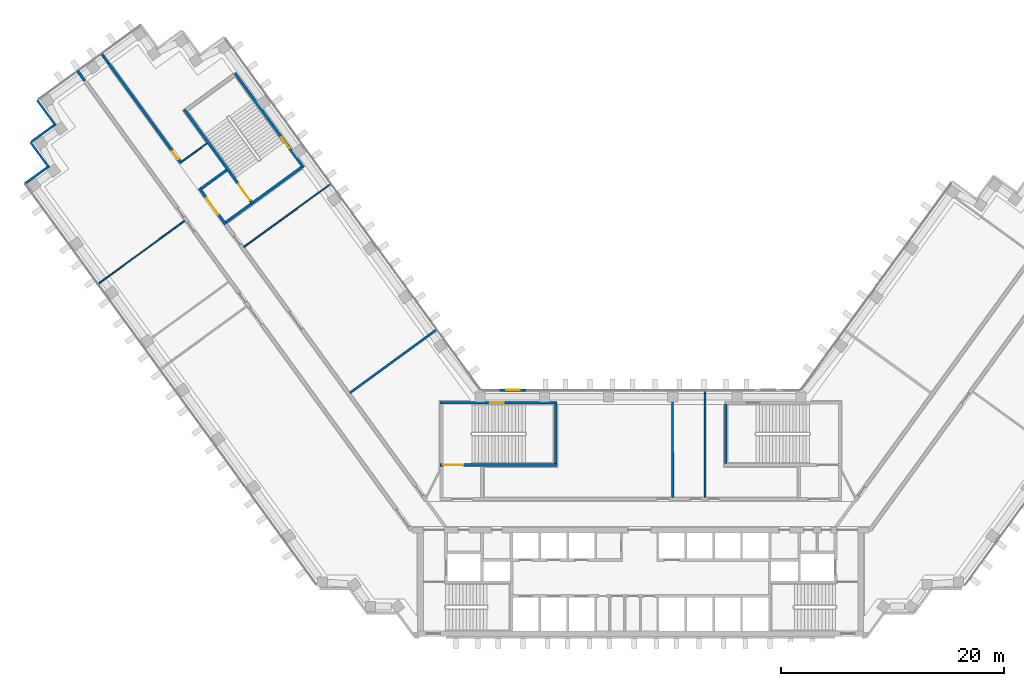
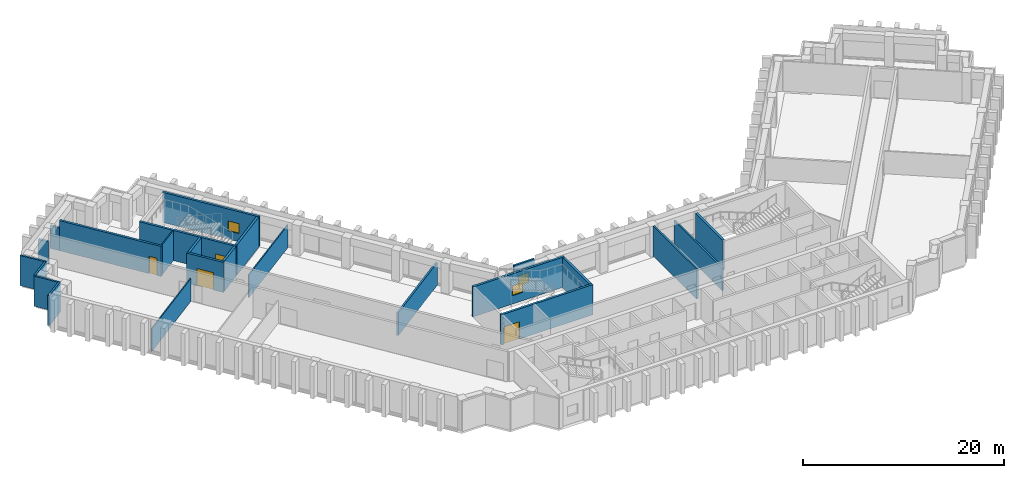
# One storey, part 7 of 12: 24 walls, 4 doors, 3 windows, 7 openings.
"""IFC4 building model written with IfcOpenShell, lengths in metres."""

import ifcopenshell
import ifcopenshell.guid

model = None  # the IFC model being written
_history = None  # IfcOwnerHistory: only IFC2X3 demands one
_inside = {}  # id of a spatial element -> (the spatial element, [elements in it])
_under = {}  # id of a project, library or spatial element -> (it, [spatial elements below it])
_declared = {}  # id of a project -> (the project, [libraries it declares])
_typed = {}  # id of a type object -> (the type object, [elements of that type])
_made_of = {}  # id of a material, layer set ... -> (it, [elements and type objects made of it])


def new_model(schema):
    """Start an empty IFC model of exactly this schema.

    Asked for "IFC4X3", IfcOpenShell would pick the latest addendum, in which some entities
    have other attributes; the version numbers below select the first issue.
    IFC2X3 requires an IfcOwnerHistory on every rooted entity: one is made here for all.
    """
    global model, _history
    if schema == "IFC4X3":
        model = ifcopenshell.file(schema_version=(4, 3, 0, 0))
    else:
        model = ifcopenshell.file(schema=schema)
    _inside.clear()
    _under.clear()
    _declared.clear()
    _typed.clear()
    _made_of.clear()
    _history = None
    if model.schema == "IFC2X3":
        org = make("IfcOrganization", Name="unknown")
        user = make(
            "IfcPersonAndOrganization",
            ThePerson=make("IfcPerson", FamilyName="unknown"),
            TheOrganization=org,
        )
        app = make(
            "IfcApplication",
            ApplicationDeveloper=org,
            Version="unknown",
            ApplicationFullName="unknown",
            ApplicationIdentifier="unknown",
        )
        _history = make(
            "IfcOwnerHistory",
            OwningUser=user,
            OwningApplication=app,
            ChangeAction="ADDED",
            CreationDate=0,
        )
    return model


def make(cls, **values):
    """One entity of the class cls with the attributes given. An attribute that is None is left unset."""
    return model.create_entity(
        cls, **{name: value for name, value in values.items() if value is not None}
    )


def rooted(cls, **values):
    """An entity with a GlobalId (a new one), such as an element, a storey or a relation."""
    return make(cls, GlobalId=ifcopenshell.guid.new(), OwnerHistory=_history, **values)


def si_unit(unit_type, name, prefix=None):
    """IfcSIUnit, for example si_unit("LENGTHUNIT", "METRE", prefix="MILLI")."""
    return make("IfcSIUnit", UnitType=unit_type, Prefix=prefix, Name=name)


def assignment(units):
    """IfcUnitAssignment: the units of a project."""
    return None if units is None else make("IfcUnitAssignment", Units=units)


def point(xyz):
    """IfcCartesianPoint."""
    return None if xyz is None else make("IfcCartesianPoint", Coordinates=xyz)


def direction(xyz):
    """IfcDirection."""
    return None if xyz is None else make("IfcDirection", DirectionRatios=xyz)


def frame(location, z_axis=None, x_axis=None):
    """IfcAxis2Placement3D, a coordinate frame: its origin and axes. An axis left out is left unset."""
    return make(
        "IfcAxis2Placement3D",
        Location=point(location),
        Axis=direction(z_axis),
        RefDirection=direction(x_axis),
    )


def frame_2d(location, x_axis=None):
    """IfcAxis2Placement2D, a coordinate frame in the plane: its origin and x axis."""
    return make(
        "IfcAxis2Placement2D", Location=point(location), RefDirection=direction(x_axis)
    )


def origin():
    """The frame at (0, 0, 0) with its axes left unset."""
    return frame((0.0, 0.0, 0.0))


def place(relative_to, where):
    """IfcLocalPlacement: puts the frame where relative to a parent placement (None: the world)."""
    return make(
        "IfcLocalPlacement", PlacementRelTo=relative_to, RelativePlacement=where
    )


def context(
    kind, dimensions, precision=None, world=None, true_north=None, identifier=None
):
    """IfcGeometricRepresentationContext, for example the 3D "Model" context."""
    return make(
        "IfcGeometricRepresentationContext",
        ContextIdentifier=identifier,
        ContextType=kind,
        CoordinateSpaceDimension=dimensions,
        Precision=precision,
        WorldCoordinateSystem=world,
        TrueNorth=true_north,
    )


def subcontext(parent, identifier, kind, view, scale=None):
    """IfcGeometricRepresentationSubContext, for example "Body" below "Model"."""
    return make(
        "IfcGeometricRepresentationSubContext",
        ContextIdentifier=identifier,
        ContextType=kind,
        ParentContext=parent,
        TargetScale=scale,
        TargetView=view,
    )


def project(units=None, contexts=None):
    """IfcProject with its units and contexts."""
    return rooted(
        "IfcProject",
        Name="project",
        RepresentationContexts=contexts,
        UnitsInContext=assignment(units),
    )


def spatial(cls, under=None, at=None, **own):
    """A site, building, storey or space (cls), placed at a placement, below another one or the project."""
    s = rooted(cls, ObjectPlacement=at, **own)
    if under is not None:
        _under.setdefault(under.id(), (under, []))[1].append(s)
    return s


def profile(cls, at=None, kind="AREA", **sizes):
    """A parametric profile (cls). Its sizes go by their IFC names, for example OverallWidth=200.0."""
    return make(cls, ProfileType=kind, Position=at, **sizes)


def rectangle(**sizes):
    """IfcRectangleProfileDef."""
    return profile("IfcRectangleProfileDef", **sizes)


def extrude(swept, where, along, depth):
    """IfcExtrudedAreaSolid: the profile swept, set in the frame where, extruded along a direction by depth."""
    return make(
        "IfcExtrudedAreaSolid",
        SweptArea=swept,
        Position=where,
        ExtrudedDirection=direction(along),
        Depth=depth,
    )


def shape(context_of_items, identifier, shape_type, items):
    """IfcShapeRepresentation: the items that make up one representation, for example the "Body"."""
    return make(
        "IfcShapeRepresentation",
        ContextOfItems=context_of_items,
        RepresentationIdentifier=identifier,
        RepresentationType=shape_type,
        Items=items,
    )


def material(Name=None, Category=None):
    """IfcMaterial."""
    return make("IfcMaterial", Name=Name, Category=Category)


def layer(
    of_material, thickness, ventilated=None, Name=None, Category=None, Priority=None
):
    """IfcMaterialLayer: one layer of a wall or slab, of a material (None: an air gap)."""
    return make(
        "IfcMaterialLayer",
        Material=of_material,
        LayerThickness=thickness,
        IsVentilated=ventilated,
        Name=Name,
        Category=Category,
        Priority=Priority,
    )


def layer_set(layers, Name=None):
    """IfcMaterialLayerSet."""
    return make("IfcMaterialLayerSet", MaterialLayers=layers, LayerSetName=Name)


def made_of(thing, what):
    """Note that an element or type object is made of a material, layer set ...; save() writes the relation."""
    if what is not None:
        _made_of.setdefault(what.id(), (what, []))[1].append(thing)
    return thing


def type_object(cls, material=None, **own):
    """A type object (cls), such as IfcWallType, which elements share."""
    return made_of(rooted(cls, **own), material)


def element(
    cls,
    number,
    at=None,
    inside=None,
    cuts=None,
    type_object=None,
    material=None,
    context=None,
    identifier="Body",
    shape_type=None,
    held_by="IfcProductDefinitionShape",
    body=None,
    shapes=None,
    **own,
):
    """One element of the class cls, such as IfcWall. Its Tag is "e" and its number.

    at: its placement. inside: the storey or other place that contains it. cuts: it is an
    opening in that element (IfcRelVoidsElement). A single representation is given by context,
    identifier, shape_type and body (its items); several are given by shapes. held_by: the class
    of the entity that holds the representations. save() writes the other relations.
    """
    e = rooted(cls, Tag="e%d" % number, ObjectPlacement=at, **own)
    if body is not None:
        shapes = [shape(context, identifier, shape_type, body)]
    if shapes is not None:
        e.Representation = make(held_by, Representations=shapes)
    if inside is not None:
        _inside.setdefault(inside.id(), (inside, []))[1].append(e)
    if cuts is not None:
        rooted(
            "IfcRelVoidsElement", RelatingBuildingElement=cuts, RelatedOpeningElement=e
        )
    if type_object is not None:
        _typed.setdefault(type_object.id(), (type_object, []))[1].append(e)
    return made_of(e, material)


def fill(opening, filler):
    """IfcRelFillsElement: the door or window that sits in an opening."""
    return rooted(
        "IfcRelFillsElement",
        RelatingOpeningElement=opening,
        RelatedBuildingElement=filler,
    )


def aggregate(whole, parts):
    """IfcRelAggregates: a whole, such as a stair, and the parts it consists of."""
    return rooted("IfcRelAggregates", RelatingObject=whole, RelatedObjects=parts)


def save(model, path):
    """Write the relations noted so far, then the file.

    IfcRelAggregates (storeys below a building ...), IfcRelContainedInSpatialStructure (elements
    in a storey), IfcRelDefinesByType, IfcRelAssociatesMaterial and IfcRelDeclares: one each for
    every whole, place, type object, material and project.
    """
    for whole, parts in _under.values():
        aggregate(whole, parts)
    for where, things in _inside.values():
        rooted(
            "IfcRelContainedInSpatialStructure",
            RelatedElements=things,
            RelatingStructure=where,
        )
    for kind, things in _typed.values():
        rooted("IfcRelDefinesByType", RelatedObjects=things, RelatingType=kind)
    for what, things in _made_of.values():
        rooted("IfcRelAssociatesMaterial", RelatedObjects=things, RelatingMaterial=what)
    for by, libraries in _declared.values():
        rooted("IfcRelDeclares", RelatingContext=by, RelatedDefinitions=libraries)
    model.write(path)


model = new_model("IFC4")

# Units and contexts
model_context = context("Model", 3, precision=1e-05, world=origin(), true_north=direction((0.0, 1.0)))
body_context = subcontext(model_context, "Body", "Model", "MODEL_VIEW")
ifc_project = project(units=[si_unit("LENGTHUNIT", "METRE"), si_unit("AREAUNIT", "SQUARE_METRE"), si_unit("VOLUMEUNIT", "CUBIC_METRE"), si_unit("PLANEANGLEUNIT", "RADIAN"), si_unit("MASSUNIT", "GRAM", prefix="KILO")], contexts=[model_context])

# Site, building, storey
site_placement = place(None, origin())
site = spatial("IfcSite", under=ifc_project, at=site_placement, CompositionType="ELEMENT")
building_placement = place(site_placement, origin())
building = spatial("IfcBuilding", under=site, at=building_placement, Name="Quipu Civic Tower", CompositionType="ELEMENT")
storey_placement = place(building_placement, frame((0.0, 0.0, 121.0)))
storey = spatial("IfcBuildingStorey", under=building, at=storey_placement, Name="L28", CompositionType="ELEMENT", Elevation=121.0)

# Walls
ifc_material_1 = material(Name="Fired clay blockwork", Category="masonry")
ifc_layer_1 = layer(ifc_material_1, 0.199951171875)
ifc_layer_set_1 = layer_set([ifc_layer_1], Name="Fired clay blockwork")
wall_type_1 = type_object("IfcWallType", Name="Blockwork wall 200", PredefinedType="SOLIDWALL", material=ifc_layer_set_1)
wall_1_placement = place(storey_placement, frame((5.778076171875, 11.0, 0.0), z_axis=(0.0, 0.0, 1.0), x_axis=(0.0, -1.0, 0.0)))
element("IfcWall", 1, at=wall_1_placement, inside=storey, type_object=wall_type_1, Name="Partition P02", PredefinedType="SOLIDWALL", context=body_context, shape_type="SweptSolid", body=[
    extrude(rectangle(XDim=9.550048828125, YDim=0.199951171875, at=frame_2d((4.77490234375, 0.0))), origin(), (0.0, 0.0, 1.0), 2.75),
])
wall_2_placement = place(storey_placement, frame((2.87890625, 1.449951171875, 0.0), z_axis=(0.0, 0.0, 1.0), x_axis=(-0.002357613104, 0.999997220826, 0.0)))
element("IfcWall", 2, at=wall_2_placement, inside=storey, type_object=wall_type_1, Name="Partition P04", PredefinedType="SOLIDWALL", context=body_context, shape_type="SweptSolid", body=[
    extrude(rectangle(XDim=8.594970703125, YDim=0.199951171875, at=frame_2d((4.29736328125, 0.0))), origin(), (0.0, 0.0, 1.0), 3.64990234375),
])
wall_3_placement = place(storey_placement, frame((-26.089111328125, 10.847900390625, 0.0), z_axis=(0.0, 0.0, 1.0), x_axis=(0.807661302092, 0.589646691759, 0.0)))
element("IfcWall", 3, at=wall_3_placement, inside=storey, type_object=wall_type_1, Name="Partition P08", PredefinedType="SOLIDWALL", context=body_context, shape_type="SweptSolid", body=[
    extrude(rectangle(XDim=9.550048828125, YDim=0.199951171875, at=frame_2d((4.77490234375, 0.0))), origin(), (0.0, 0.0, 1.0), 2.75),
])

# Wall, opening, door
ifc_material_2 = material(Name="Concrete C70/85", Category="concrete")
ifc_layer_2 = layer(ifc_material_2, 0.25)
ifc_layer_set_2 = layer_set([ifc_layer_2], Name="Concrete C70/85")
wall_type_2 = type_object("IfcWallType", Name="Core wall 250", PredefinedType="SHEAR", material=ifc_layer_set_2)
wall_4_placement = place(storey_placement, frame((-18.0, 4.375, 0.0), z_axis=(0.0, 0.0, 1.0), x_axis=(1.0, 0.0, 0.0)))
wall_4 = element("IfcWall", 4, at=wall_4_placement, inside=storey, type_object=wall_type_2, Name="Core wall", PredefinedType="SHEAR", context=body_context, shape_type="SweptSolid", body=[
    extrude(rectangle(XDim=10.5, YDim=0.25, at=frame_2d((5.25, 0.0))), origin(), (0.0, 0.0, 1.0), 3.64990234375),
])
opening_1_placement = place(wall_4_placement, frame((0.300048828125, 0.0, 0.0)))
opening_1 = element("IfcOpeningElement", 5, at=opening_1_placement, cuts=wall_4, Name="Opening CD-17", PredefinedType="OPENING", context=body_context, shape_type="SweptSolid", body=[
    extrude(rectangle(XDim=1.800048828125, YDim=2.10009765625, at=frame_2d((0.89990234375, 1.050048828125))), frame((0.0, 0.135009765625, 0.0), z_axis=(0.0, -1.0, 0.0), x_axis=(1.0, 0.0, 0.0)), (0.0, 0.0, 1.0), 0.27001953125),
])
ifc_material_3 = material(Name="Fire rated steel door", Category="steel")
door_type_1 = type_object("IfcDoorType", Name="Fire door FD90 double 1800 x 2100", OperationType="NOTDEFINED", PredefinedType="DOOR", material=ifc_material_3)
door_1_placement = place(opening_1_placement, origin())
door_1 = element("IfcDoor", 6, at=door_1_placement, inside=storey, type_object=door_type_1, Name="Door", OperationType="DOUBLE_DOOR_SINGLE_SWING", OverallHeight=2.10009765625, OverallWidth=1.800048828125, PredefinedType="DOOR", context=body_context, shape_type="SweptSolid", body=[
    extrude(rectangle(XDim=1.800048828125, YDim=2.10009765625, at=frame_2d((0.89990234375, 1.050048828125))), frame((0.0, 0.02490234375, 0.0), z_axis=(0.0, -1.0, 0.0), x_axis=(1.0, 0.0, 0.0)), (0.0, 0.0, 1.0), 0.050048828125),
])
fill(opening_1, door_1)

# Wall
wall_5_placement = place(storey_placement, frame((-7.625, 4.5, 0.0), z_axis=(0.0, 0.0, 1.0), x_axis=(0.0, 1.0, 0.0)))
element("IfcWall", 7, at=wall_5_placement, inside=storey, type_object=wall_type_2, Name="Core wall", PredefinedType="SHEAR", context=body_context, shape_type="SweptSolid", body=[
    extrude(rectangle(XDim=5.35009765625, YDim=0.25, at=frame_2d((2.675048828125, 0.0))), origin(), (0.0, 0.0, 1.0), 3.64990234375),
])

# Wall, opening, window
wall_6_placement = place(storey_placement, frame((-18.0, 9.97509765625, 0.0), z_axis=(0.0, 0.0, 1.0), x_axis=(1.0, 0.0, 0.0)))
wall_6 = element("IfcWall", 8, at=wall_6_placement, inside=storey, type_object=wall_type_2, Name="Core wall", PredefinedType="SHEAR", context=body_context, shape_type="SweptSolid", body=[
    extrude(rectangle(XDim=10.5, YDim=0.25, at=frame_2d((5.25, 0.0))), origin(), (0.0, 0.0, 1.0), 3.64990234375),
])
opening_2_placement = place(wall_6_placement, frame((4.5, 0.0, 1.0)))
opening_2 = element("IfcOpeningElement", 9, at=opening_2_placement, cuts=wall_6, Name="Opening SV-3", PredefinedType="OPENING", context=body_context, shape_type="SweptSolid", body=[
    extrude(rectangle(XDim=1.199951171875, YDim=1.199951171875, at=frame_2d((0.60009765625, 0.60009765625))), frame((0.0, 0.135009765625, 0.0), z_axis=(0.0, -1.0, 0.0), x_axis=(1.0, 0.0, 0.0)), (0.0, 0.0, 1.0), 0.27001953125),
])
ifc_material_4 = material(Name="Aluminium louvre", Category="aluminium")
window_type_1 = type_object("IfcWindowType", Name="Stair ventilation louvre 1200 x 1200", PartitioningType="SINGLE_PANEL", PredefinedType="WINDOW", material=ifc_material_4)
window_1_placement = place(opening_2_placement, origin())
window_1 = element("IfcWindow", 10, at=window_1_placement, inside=storey, type_object=window_type_1, Name="Stair ventilation opening", OverallHeight=1.199951171875, OverallWidth=1.199951171875, PartitioningType="SINGLE_PANEL", PredefinedType="WINDOW", context=body_context, shape_type="SweptSolid", body=[
    extrude(rectangle(XDim=1.199951171875, YDim=1.199951171875, at=frame_2d((0.60009765625, 0.60009765625))), frame((0.0, 0.030029296875, 0.0), z_axis=(0.0, -1.0, 0.0), x_axis=(1.0, 0.0, 0.0)), (0.0, 0.0, 1.0), 0.06005859375),
])
fill(opening_2, window_1)

# Wall
wall_7_placement = place(storey_placement, frame((7.625, 4.5, 0.0), z_axis=(0.0, 0.0, 1.0), x_axis=(0.0, 1.0, 0.0)))
element("IfcWall", 11, at=wall_7_placement, inside=storey, type_object=wall_type_2, Name="Core wall", PredefinedType="SHEAR", context=body_context, shape_type="SweptSolid", body=[
    extrude(rectangle(XDim=5.35009765625, YDim=0.25, at=frame_2d((2.675048828125, 0.0))), origin(), (0.0, 0.0, 1.0), 3.64990234375),
])

# Wall, opening, window
wall_8_placement = place(storey_placement, frame((-30.239501953125, 31.06396484375, 0.0), z_axis=(0.0, 0.0, 1.0), x_axis=(-0.587795589702, 0.809009483706, 0.0)))
wall_8 = element("IfcWall", 12, at=wall_8_placement, inside=storey, type_object=wall_type_2, Name="Core wall", PredefinedType="SHEAR", context=body_context, shape_type="SweptSolid", body=[
    extrude(rectangle(XDim=10.5, YDim=0.25, at=frame_2d((5.25, 0.0))), origin(), (0.0, 0.0, 1.0), 3.64990234375),
])
opening_3_placement = place(wall_8_placement, frame((2.14990234375, 0.0, 1.0)))
opening_3 = element("IfcOpeningElement", 13, at=opening_3_placement, cuts=wall_8, Name="Opening SV-6", PredefinedType="OPENING", context=body_context, shape_type="SweptSolid", body=[
    extrude(rectangle(XDim=1.199951171875, YDim=1.199951171875, at=frame_2d((0.60009765625, 0.60009765625))), frame((0.0, 0.135009765625, 0.0), z_axis=(0.0, -1.0, 0.0), x_axis=(1.0, 0.0, 0.0)), (0.0, 0.0, 1.0), 0.27001953125),
])
window_2_placement = place(opening_3_placement, origin())
window_2 = element("IfcWindow", 14, at=window_2_placement, inside=storey, type_object=window_type_1, Name="Stair ventilation opening", OverallHeight=1.199951171875, OverallWidth=1.199951171875, PartitioningType="SINGLE_PANEL", PredefinedType="WINDOW", context=body_context, shape_type="SweptSolid", body=[
    extrude(rectangle(XDim=1.199951171875, YDim=1.199951171875, at=frame_2d((0.60009765625, 0.60009765625))), frame((0.0, 0.030029296875, 0.0), z_axis=(0.0, -1.0, 0.0), x_axis=(1.0, 0.0, 0.0)), (0.0, 0.0, 1.0), 0.06005859375),
])
fill(opening_3, window_2)

# Wall
wall_9_placement = place(storey_placement, frame((-30.414306640625, 31.091796875, 0.0), z_axis=(0.0, 0.0, 1.0), x_axis=(-0.8089984606, -0.587810760999, 0.0)))
element("IfcWall", 15, at=wall_9_placement, inside=storey, type_object=wall_type_2, Name="Core wall", PredefinedType="SHEAR", context=body_context, shape_type="SweptSolid", body=[
    extrude(rectangle(XDim=5.35009765625, YDim=0.25, at=frame_2d((2.675048828125, 0.0))), origin(), (0.0, 0.0, 1.0), 3.64990234375),
])

# Wall, opening, door
wall_10_placement = place(storey_placement, frame((-40.94189453125, 36.26708984375, 0.0), z_axis=(0.0, 0.0, 1.0), x_axis=(0.587795589702, -0.809009483706, 0.0)))
wall_10 = element("IfcWall", 16, at=wall_10_placement, inside=storey, type_object=wall_type_2, Name="Core wall", PredefinedType="SHEAR", context=body_context, shape_type="SweptSolid", body=[
    extrude(rectangle(XDim=10.5, YDim=0.25, at=frame_2d((5.25, 0.0))), origin(), (0.0, 0.0, 1.0), 3.64990234375),
])
opening_4_placement = place(wall_10_placement, frame((8.25, 0.0, 0.0)))
opening_4 = element("IfcOpeningElement", 17, at=opening_4_placement, cuts=wall_10, Name="Opening CD-20", PredefinedType="OPENING", context=body_context, shape_type="SweptSolid", body=[
    extrude(rectangle(XDim=1.800048828125, YDim=2.10009765625, at=frame_2d((0.89990234375, 1.050048828125))), frame((0.0, 0.135009765625, 0.0), z_axis=(0.0, -1.0, 0.0), x_axis=(1.0, 0.0, 0.0)), (0.0, 0.0, 1.0), 0.27001953125),
])
door_2_placement = place(opening_4_placement, origin())
door_2 = element("IfcDoor", 18, at=door_2_placement, inside=storey, type_object=door_type_1, Name="Door", OperationType="DOUBLE_DOOR_SINGLE_SWING", OverallHeight=2.10009765625, OverallWidth=1.800048828125, PredefinedType="DOOR", context=body_context, shape_type="SweptSolid", body=[
    extrude(rectangle(XDim=1.800048828125, YDim=2.10009765625, at=frame_2d((0.89990234375, 1.050048828125))), frame((0.0, 0.02490234375, 0.0), z_axis=(0.0, -1.0, 0.0), x_axis=(1.0, 0.0, 0.0)), (0.0, 0.0, 1.0), 0.050048828125),
])
fill(opening_4, door_2)

# Walls
for number, where, z_axis, x_axis, name in (
    (19, (-34.944580078125, 27.800048828125, 0.0), (0.0, 0.0, 1.0), (-0.809041377956, -0.587751689708, 0.0), "Core wall"),
    (20, (-37.14892578125, 30.833984375, 0.0), (0.0, 0.0, 1.0), (-0.808969789945, -0.58785021813, 0.0), "Core wall"),
):
    element("IfcWall", number, at=place(storey_placement, frame(where, z_axis=z_axis, x_axis=x_axis)), inside=storey, type_object=wall_type_2, Name=name, PredefinedType="SHEAR", context=body_context, shape_type="SweptSolid", body=[
        extrude(rectangle(XDim=2.800048828125, YDim=0.25, at=frame_2d((1.39990234375, 0.0))), origin(), (0.0, 0.0, 1.0), 3.64990234375),
    ])

# Wall, opening, door
wall_11_placement = place(storey_placement, frame((-39.588623046875, 29.2158203125, 0.0), z_axis=(0.0, 0.0, 1.0), x_axis=(0.587772420479, -0.809026317077, 0.0)))
wall_11 = element("IfcWall", 21, at=wall_11_placement, inside=storey, type_object=wall_type_2, Name="Core wall", PredefinedType="SHEAR", context=body_context, shape_type="SweptSolid", body=[
    extrude(rectangle(XDim=4.0, YDim=0.25, at=frame_2d((2.0, 0.0))), origin(), (0.0, 0.0, 1.0), 3.64990234375),
])
opening_5_placement = place(wall_11_placement, frame((1.10009765625, 0.0, 0.0)))
opening_5 = element("IfcOpeningElement", 22, at=opening_5_placement, cuts=wall_11, Name="Opening CD-21", PredefinedType="OPENING", context=body_context, shape_type="SweptSolid", body=[
    extrude(rectangle(XDim=1.800048828125, YDim=2.10009765625, at=frame_2d((0.89990234375, 1.050048828125))), frame((0.0, 0.135009765625, 0.0), z_axis=(0.0, -1.0, 0.0), x_axis=(1.0, 0.0, 0.0)), (0.0, 0.0, 1.0), 0.27001953125),
])
door_3_placement = place(opening_5_placement, origin())
door_3 = element("IfcDoor", 23, at=door_3_placement, inside=storey, type_object=door_type_1, Name="Lobby door", OperationType="DOUBLE_DOOR_SINGLE_SWING", OverallHeight=2.10009765625, OverallWidth=1.800048828125, PredefinedType="DOOR", context=body_context, shape_type="SweptSolid", body=[
    extrude(rectangle(XDim=1.800048828125, YDim=2.10009765625, at=frame_2d((0.89990234375, 1.050048828125))), frame((0.0, 0.02490234375, 0.0), z_axis=(0.0, -1.0, 0.0), x_axis=(1.0, 0.0, 0.0)), (0.0, 0.0, 1.0), 0.050048828125),
])
fill(opening_5, door_3)

ifc_material_5 = material(Name="Concrete C50/60", Category="concrete")
ifc_layer_3 = layer(ifc_material_5, 0.25)
ifc_layer_set_3 = layer_set([ifc_layer_3], Name="Concrete C50/60")
wall_type_3 = type_object("IfcWallType", Name="Corridor wall 250 concrete", PredefinedType="SOLIDWALL", material=ifc_layer_set_3)
wall_12_placement = place(storey_placement, frame((-47.724853515625, 40.414306640625, 0.0), z_axis=(0.0, 0.0, 1.0), x_axis=(0.587773291021, -0.809025684612, 0.0)))
wall_12 = element("IfcWall", 24, at=wall_12_placement, inside=storey, type_object=wall_type_3, Name="Corridor wall C02", PredefinedType="SOLIDWALL", context=body_context, shape_type="SweptSolid", body=[
    extrude(rectangle(XDim=11.07861328125, YDim=0.25, at=frame_2d((5.539306640625, 0.0))), origin(), (0.0, 0.0, 1.0), 3.64990234375),
])
opening_6_placement = place(wall_12_placement, frame((9.737060546875, 0.0, 0.0)))
opening_6 = element("IfcOpeningElement", 25, at=opening_6_placement, cuts=wall_12, Name="Opening D009", PredefinedType="OPENING", context=body_context, shape_type="SweptSolid", body=[
    extrude(rectangle(XDim=0.89990234375, YDim=2.10009765625, at=frame_2d((0.449951171875, 1.050048828125))), frame((0.0, 0.135009765625, 0.0), z_axis=(0.0, -1.0, 0.0), x_axis=(1.0, 0.0, 0.0)), (0.0, 0.0, 1.0), 0.27001953125),
])
ifc_material_6 = material(Name="Fire rated timber door set with metal frame", Category="wood")
door_type_2 = type_object("IfcDoorType", Name="Single door 900 x 2100 FD60", OperationType="NOTDEFINED", PredefinedType="DOOR", material=ifc_material_6)
door_4_placement = place(opening_6_placement, origin())
door_4 = element("IfcDoor", 26, at=door_4_placement, inside=storey, type_object=door_type_2, Name="Door D009", OperationType="SINGLE_SWING_RIGHT", OverallHeight=2.10009765625, OverallWidth=0.89990234375, PredefinedType="DOOR", context=body_context, shape_type="SweptSolid", body=[
    extrude(rectangle(XDim=0.89990234375, YDim=2.10009765625, at=frame_2d((0.449951171875, 1.050048828125))), frame((0.0, 0.02490234375, 0.0), z_axis=(0.0, -1.0, 0.0), x_axis=(1.0, 0.0, 0.0)), (0.0, 0.0, 1.0), 0.050048828125),
])
fill(opening_6, door_4)

# Walls
wall_13_placement = place(storey_placement, frame((-49.86865234375, 38.8564453125, 0.0), z_axis=(0.0, 0.0, 1.0), x_axis=(-0.587674273289, 0.809097613712, 0.0)))
element("IfcWall", 27, at=wall_13_placement, inside=storey, type_object=wall_type_3, Name="Corridor wall C01", PredefinedType="SOLIDWALL", context=body_context, shape_type="SweptSolid", body=[
    extrude(rectangle(XDim=1.109130859375, YDim=0.25, at=frame_2d((0.5546875, 0.0))), origin(), (0.0, 0.0, 1.0), 2.75),
])
wall_14_placement = place(storey_placement, frame((-47.724853515625, 40.414306640625, 0.0), z_axis=(0.0, 0.0, 1.0), x_axis=(-0.587840411638, 0.808976915892, 0.0)))
element("IfcWall", 28, at=wall_14_placement, inside=storey, type_object=wall_type_3, Name="Corridor wall C02", PredefinedType="SOLIDWALL", context=body_context, shape_type="SweptSolid", body=[
    extrude(rectangle(XDim=1.008056640625, YDim=0.25, at=frame_2d((0.50390625, 0.0))), origin(), (0.0, 0.0, 1.0), 2.75),
])
ifc_material_7 = material(Name="Gypsum plasterboard on light gauge framing")
ifc_layer_4 = layer(ifc_material_7, 0.1201171875)
ifc_layer_set_4 = layer_set([ifc_layer_4], Name="Gypsum plasterboard on light gauge framing")
wall_type_4 = type_object("IfcWallType", Name="Partition 120 plasterboard", PredefinedType="PARTITIONING", material=ifc_layer_set_4)
wall_15_placement = place(storey_placement, frame((-48.615478515625, 20.67138671875, 0.0), z_axis=(0.0, 0.0, 1.0), x_axis=(0.807691251741, 0.589605666408, 0.0)))
element("IfcWall", 29, at=wall_15_placement, inside=storey, type_object=wall_type_4, Name="Partition P01", PredefinedType="PARTITIONING", context=body_context, shape_type="SweptSolid", body=[
    extrude(rectangle(XDim=9.55029296875, YDim=0.1201171875, at=frame_2d((4.775146484375, 0.0))), origin(), (0.0, 0.0, 1.0), 2.75),
])
wall_16_placement = place(storey_placement, frame((-27.873046875, 29.550537109375, 0.0), z_axis=(0.0, 0.0, 1.0), x_axis=(-0.809043311713, -0.587749027879, 0.0)))
element("IfcWall", 30, at=wall_16_placement, inside=storey, type_object=wall_type_4, Name="Partition P09", PredefinedType="PARTITIONING", context=body_context, shape_type="SweptSolid", body=[
    extrude(rectangle(XDim=9.549560546875, YDim=0.1201171875, at=frame_2d((4.77490234375, 0.0))), origin(), (0.0, 0.0, 1.0), 2.75),
])
wall_17_placement = place(storey_placement, frame((-41.166015625, 31.59912109375, 0.0), z_axis=(0.0, 0.0, 1.0), x_axis=(0.809090262332, 0.587684394381, 0.0)))
element("IfcWall", 31, at=wall_17_placement, inside=storey, type_object=wall_type_4, Name="Partition P12", PredefinedType="PARTITIONING", context=body_context, shape_type="SweptSolid", body=[
    extrude(rectangle(XDim=2.80078125, YDim=0.1201171875, at=frame_2d((1.400390625, 0.0))), origin(), (0.0, 0.0, 1.0), 3.64990234375),
])
ifc_material_8 = material(Name="Precast concrete C40/50", Category="concrete")
wall_type_5 = type_object("IfcWallType", Name="Precast cladding wall", PredefinedType="SOLIDWALL", material=ifc_material_8)
for number, where, z_axis, x_axis, name in (
    (32, (-54.140380859375, 37.12255859375, 0.0), (0.0, 0.0, 1.0), (0.587822180636, -0.808990163075, 0.0), "Precast cladding wall L28 7"),
    (33, (-52.46533203125, 34.9873046875, 0.0), (0.0, 0.0, 1.0), (-0.809033161865, -0.587762999008, 0.0), "Precast cladding wall L28 8"),
):
    element("IfcWall", number, at=place(storey_placement, frame(where, z_axis=z_axis, x_axis=x_axis)), inside=storey, type_object=wall_type_5, Name=name, PredefinedType="SOLIDWALL", context=body_context, shape_type="SweptSolid", body=[
        extrude(rectangle(XDim=2.699951171875, YDim=0.199951171875, at=frame_2d((1.35009765625, 0.0))), origin(), (0.0, 0.0, 1.0), 3.64990234375),
    ])
wall_18_placement = place(storey_placement, frame((-54.73779296875, 33.351318359375, 0.0), z_axis=(0.0, 0.0, 1.0), x_axis=(0.587779184282, -0.809021403008, 0.0)))
element("IfcWall", 34, at=wall_18_placement, inside=storey, type_object=wall_type_5, Name="Precast cladding wall L28 9", PredefinedType="SOLIDWALL", context=body_context, shape_type="SweptSolid", body=[
    extrude(rectangle(XDim=2.7001953125, YDim=0.199951171875, at=frame_2d((1.35009765625, 0.0))), origin(), (0.0, 0.0, 1.0), 3.64990234375),
])
wall_19_placement = place(storey_placement, frame((-53.062744140625, 31.2158203125, 0.0), z_axis=(0.0, 0.0, 1.0), x_axis=(-0.809033161865, -0.587762999008, 0.0)))
element("IfcWall", 35, at=wall_19_placement, inside=storey, type_object=wall_type_5, Name="Precast cladding wall L28 10", PredefinedType="SOLIDWALL", context=body_context, shape_type="SweptSolid", body=[
    extrude(rectangle(XDim=2.699951171875, YDim=0.199951171875, at=frame_2d((1.35009765625, 0.0))), origin(), (0.0, 0.0, 1.0), 3.64990234375),
])

# Wall, opening, window
wall_20_placement = place(storey_placement, frame((-10.263427734375, 11.10009765625, 0.0), z_axis=(0.0, 0.0, 1.0), x_axis=(-1.0, 0.0, 0.0)))
wall_20 = element("IfcWall", 36, at=wall_20_placement, inside=storey, type_object=wall_type_5, Name="Vent surround SF-L28-1", PredefinedType="SOLIDWALL", context=body_context, shape_type="SweptSolid", body=[
    extrude(rectangle(XDim=2.3916015625, YDim=0.199951171875, at=frame_2d((1.19580078125, 0.0))), origin(), (0.0, 0.0, 1.0), 3.64990234375),
])
opening_7_placement = place(wall_20_placement, frame((0.595703125, 0.0, 1.0)))
opening_7 = element("IfcOpeningElement", 37, at=opening_7_placement, cuts=wall_20, Name="Opening SF-L28-1", PredefinedType="OPENING", context=body_context, shape_type="SweptSolid", body=[
    extrude(rectangle(XDim=1.199951171875, YDim=1.199951171875, at=frame_2d((0.60009765625, 0.60009765625))), frame((0.0, 0.10986328125, 0.0), z_axis=(0.0, -1.0, 0.0), x_axis=(1.0, 0.0, 0.0)), (0.0, 0.0, 1.0), 0.219970703125),
])
ifc_material_9 = material(Name="Anodised aluminium louvre", Category="aluminium")
window_type_2 = type_object("IfcWindowType", Name="Stair vent louvre window P3", PartitioningType="SINGLE_PANEL", PredefinedType="WINDOW", material=ifc_material_9)
window_3_placement = place(opening_7_placement, origin())
window_3 = element("IfcWindow", 38, at=window_3_placement, inside=storey, type_object=window_type_2, Name="Stair vent louvre SF-L28-1", OverallHeight=1.199951171875, OverallWidth=1.199951171875, PartitioningType="SINGLE_PANEL", PredefinedType="WINDOW", context=body_context, shape_type="SweptSolid", body=[
    extrude(rectangle(XDim=1.199951171875, YDim=1.199951171875, at=frame_2d((0.60009765625, 0.60009765625))), frame((0.0, 0.030029296875, 0.0), z_axis=(0.0, -1.0, 0.0), x_axis=(1.0, 0.0, 0.0)), (0.0, 0.0, 1.0), 0.06005859375),
])
fill(opening_7, window_3)

save(model, "model.ifc")
